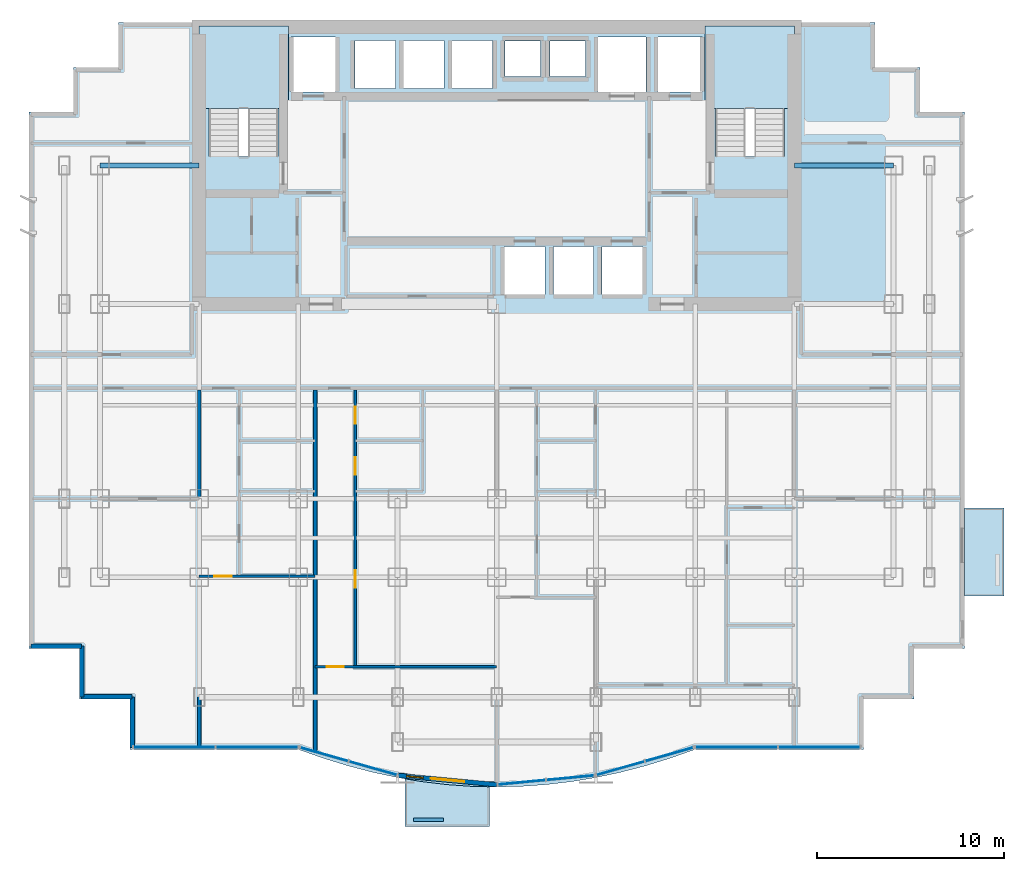
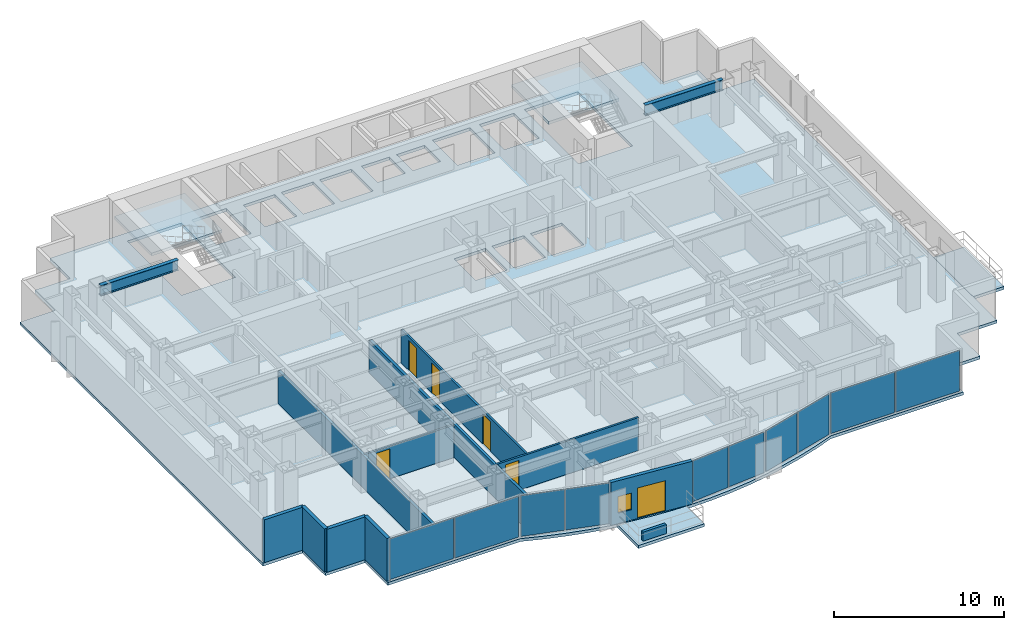
# One storey, part 4 of 10: 11 walls, 10 plates, 6 doors, 5 slabs, 2 beams, 1 window, 7 openings, 7 elements without a shape of their own.
"""IFC4 building model written with IfcOpenShell, lengths in metres."""

from ifc_helpers import new_model, si_unit, direction, frame, frame_2d, origin, origin_2d, place, context, subcontext, project, spatial, polyline, rectangle, i_section, outline, extrude, source, transform, mapped, material, layer, layer_set, material_profile, profile_set, type_object, element, fill, aggregate, save


model = new_model("IFC4")

# Units and contexts
model_context = context("Model", 3, precision=1e-05, world=origin(), true_north=direction((0.0, 1.0)))
body_context = subcontext(model_context, "Body", "Model", "MODEL_VIEW")
ifc_project = project(units=[si_unit("LENGTHUNIT", "METRE"), si_unit("AREAUNIT", "SQUARE_METRE"), si_unit("VOLUMEUNIT", "CUBIC_METRE"), si_unit("PLANEANGLEUNIT", "RADIAN"), si_unit("MASSUNIT", "GRAM", prefix="KILO")], contexts=[model_context])

# Site, building, storey
site_placement = place(None, origin())
site = spatial("IfcSite", under=ifc_project, at=site_placement, CompositionType="ELEMENT")
building_placement = place(site_placement, origin())
building = spatial("IfcBuilding", under=site, at=building_placement, Name="Qianlan Lanfeng Residences", CompositionType="ELEMENT")
storey_placement = place(building_placement, frame((0.0, 0.0, 88.300048828125)))
storey = spatial("IfcBuildingStorey", under=building, at=storey_placement, Name="L23", CompositionType="ELEMENT", Elevation=88.300048828125)

# Beams
ifc_material_1 = material(Name="Steel SN490B", Category="steel")
ifc_material_profile = material_profile(ifc_material_1, i_section(OverallWidth=0.25, OverallDepth=0.75, WebThickness=0.013916015625, FlangeThickness=0.02490234375, at=origin_2d()), Name="H 750x250x14x25")
ifc_profile_set = profile_set([ifc_material_profile], Name="Steel SN490B")
beam_type = type_object("IfcBeamType", Name="G-850", PredefinedType="BEAM", material=ifc_profile_set)
for number, where, z_axis, x_axis, name in (
    (1, (5.300048828125, 32.60009765625, 2.71484375), (1.0, 0.0, 0.0), (0.0, 1.0, 0.0), "Structural beam G-850"),
    (2, (42.39990234375, 32.60009765625, 2.71484375), (1.0, 0.0, 0.0), (0.0, 1.0, 0.0), "Structural beam G-850"),
):
    element("IfcBeam", number, at=place(storey_placement, frame(where, z_axis=z_axis, x_axis=x_axis)), inside=storey, type_object=beam_type, Name=name, PredefinedType="BEAM", context=body_context, shape_type="SweptSolid", body=[
        extrude(i_section(OverallWidth=0.25, OverallDepth=0.75, WebThickness=0.013916015625, FlangeThickness=0.02490234375, at=origin_2d()), origin(), (0.0, 0.0, 1.0), 5.300048828125),
    ])

# Slabs
ifc_material_2 = material(Name="Concrete C42", Category="concrete")
ifc_layer_1 = layer(ifc_material_2, 0.2099609375)
ifc_layer_set_1 = layer_set([ifc_layer_1], Name="Concrete C42")
slab_type_1 = type_object("IfcSlabType", Name="S-BAL-210", PredefinedType="FLOOR", material=ifc_layer_set_1)
slab_1_placement = place(storey_placement, frame((0.0, 0.0, -0.2099609375)))
element("IfcSlab", 3, at=slab_1_placement, inside=storey, type_object=slab_type_1, Name="L23 Planted Tree Balcony Slab SB-C", PredefinedType="FLOOR", context=body_context, shape_type="SweptSolid", body=[
    extrude(outline(polyline([(26.10009765625, -0.591064453125), (25.177001953125, -0.569091796875), (23.85498046875, -0.47509765625), (22.531982421875, -0.319091796875), (21.60009765625, -0.1650390625), (21.60009765625, -2.699951171875), (26.10009765625, -2.699951171875), (26.10009765625, -0.591064453125)])), origin(), (0.0, 0.0, 1.0), 0.2099609375),
])
slab_2_placement = place(storey_placement, frame((0.0, 0.0, -0.2099609375)))
element("IfcSlab", 4, at=slab_2_placement, inside=storey, type_object=slab_type_1, Name="L23 Planted Tree Balcony Slab EB-S", PredefinedType="FLOOR", context=body_context, shape_type="SweptSolid", body=[
    extrude(outline(polyline([(51.5, 14.300048828125), (51.5, 9.60009765625), (53.60009765625, 9.60009765625), (53.60009765625, 14.300048828125), (51.5, 14.300048828125)])), origin(), (0.0, 0.0, 1.0), 0.2099609375),
])
ifc_layer_2 = layer(ifc_material_2, 0.2099609375)
ifc_layer_set_2 = layer_set([ifc_layer_2], Name="Concrete C42")
slab_type_2 = type_object("IfcSlabType", Name="S-FL-210", PredefinedType="FLOOR", material=ifc_layer_set_2)
slab_3_placement = place(storey_placement, frame((0.0, 0.0, -0.2099609375)))
element("IfcSlab", 5, at=slab_3_placement, inside=storey, type_object=slab_type_2, Name="L23 Structural Floor Slab", PredefinedType="FLOOR", context=body_context, shape_type="SweptSolid", body=[
    extrude(outline(polyline([(1.5, 6.800048828125), (4.199951171875, 6.800048828125), (4.199951171875, 4.10009765625), (6.89990234375, 4.10009765625), (6.89990234375, 1.39990234375), (15.919921875, 1.39990234375), (17.241943359375, 0.930908203125), (18.56494140625, 0.52490234375), (19.886962890625, 0.180908203125), (21.2099609375, -0.10009765625), (22.531982421875, -0.319091796875), (23.85498046875, -0.47509765625), (25.177001953125, -0.569091796875), (26.5, -0.60009765625), (27.822021484375, -0.569091796875), (29.14501953125, -0.47509765625), (30.467041015625, -0.319091796875), (31.7900390625, -0.10009765625), (33.112060546875, 0.180908203125), (34.43505859375, 0.52490234375), (35.758056640625, 0.930908203125), (37.080078125, 1.39990234375), (46.10009765625, 1.39990234375), (46.10009765625, 4.10009765625), (48.800048828125, 4.10009765625), (48.800048828125, 6.800048828125), (51.5, 6.800048828125), (51.5, 35.449951171875), (49.10009765625, 35.449951171875), (49.10009765625, 37.85009765625), (46.699951171875, 37.85009765625), (46.699951171875, 40.25), (6.300048828125, 40.25), (6.300048828125, 37.85009765625), (3.89990234375, 37.85009765625), (3.89990234375, 35.449951171875), (1.5, 35.449951171875), (1.5, 6.800048828125)]), holes=[polyline([(11.139892578125, 33.080078125), (11.139892578125, 39.5), (14.820068359375, 39.5), (14.820068359375, 33.080078125), (11.139892578125, 33.080078125)]), polyline([(38.179931640625, 33.080078125), (38.179931640625, 39.5), (41.860107421875, 39.5), (41.860107421875, 33.080078125), (38.179931640625, 33.080078125)]), polyline([(15.52001953125, 36.52001953125), (15.52001953125, 39.47998046875), (17.8798828125, 39.47998046875), (17.8798828125, 36.52001953125), (15.52001953125, 36.52001953125)]), polyline([(35.1201171875, 36.52001953125), (35.1201171875, 39.47998046875), (37.47998046875, 39.47998046875), (37.47998046875, 36.52001953125), (35.1201171875, 36.52001953125)]), polyline([(31.919921875, 36.52001953125), (31.919921875, 39.47998046875), (34.47998046875, 39.47998046875), (34.47998046875, 36.52001953125), (31.919921875, 36.52001953125)]), polyline([(26.919921875, 25.719970703125), (26.919921875, 28.280029296875), (29.080078125, 28.280029296875), (29.080078125, 25.719970703125), (26.919921875, 25.719970703125)]), polyline([(29.52001953125, 25.719970703125), (29.52001953125, 28.280029296875), (31.679931640625, 28.280029296875), (31.679931640625, 25.719970703125), (29.52001953125, 25.719970703125)]), polyline([(32.1201171875, 25.719970703125), (32.1201171875, 28.280029296875), (34.280029296875, 28.280029296875), (34.280029296875, 25.719970703125), (32.1201171875, 25.719970703125)]), polyline([(18.919921875, 36.719970703125), (18.919921875, 39.280029296875), (21.080078125, 39.280029296875), (21.080078125, 36.719970703125), (18.919921875, 36.719970703125)]), polyline([(21.52001953125, 36.719970703125), (21.52001953125, 39.280029296875), (23.679931640625, 39.280029296875), (23.679931640625, 36.719970703125), (21.52001953125, 36.719970703125)]), polyline([(24.1201171875, 36.719970703125), (24.1201171875, 39.280029296875), (26.280029296875, 39.280029296875), (26.280029296875, 36.719970703125), (24.1201171875, 36.719970703125)]), polyline([(26.949951171875, 37.35009765625), (26.949951171875, 39.25), (28.85009765625, 39.25), (28.85009765625, 37.35009765625), (26.949951171875, 37.35009765625)]), polyline([(29.35009765625, 37.35009765625), (29.35009765625, 39.25), (31.25, 39.25), (31.25, 37.35009765625), (29.35009765625, 37.35009765625)])]), origin(), (0.0, 0.0, 1.0), 0.2099609375),
])

# Stair, slab
stair_type = type_object("IfcStairType", Name="STR-MAIN", PredefinedType="HALF_TURN_STAIR", material=ifc_material_2)
stair_1_placement = place(storey_placement, origin())
stair_1 = element("IfcStair", 6, at=stair_1_placement, inside=storey, type_object=stair_type, Name="L23 Exit Stair ST-1", PredefinedType="HALF_TURN_STAIR")
ifc_layer_3 = layer(ifc_material_2, 0.179931640625)
ifc_layer_set_3 = layer_set([ifc_layer_3], Name="Concrete C42")
slab_type_3 = type_object("IfcSlabType", Name="S-LND-180", PredefinedType="LANDING", material=ifc_layer_set_3)
slab_4_placement = place(storey_placement, frame((0.0, 0.0, 1.449951171875)))
slab_4 = element("IfcSlab", 7, at=slab_4_placement, type_object=slab_type_3, Name="ST-1 landing 1", PredefinedType="LANDING", context=body_context, shape_type="SweptSolid", body=[
    extrude(outline(polyline([(10.580078125, 35.659912109375), (15.3798828125, 35.659912109375), (15.3798828125, 40.050048828125), (10.580078125, 40.050048828125), (10.580078125, 35.659912109375)])), origin(), (0.0, 0.0, 1.0), 0.199951171875),
])
aggregate(stair_1, [slab_4])

stair_2_placement = place(storey_placement, origin())
stair_2 = element("IfcStair", 8, at=stair_2_placement, inside=storey, type_object=stair_type, Name="L23 Exit Stair ST-2", PredefinedType="HALF_TURN_STAIR")
slab_5_placement = place(storey_placement, frame((0.0, 0.0, 1.449951171875)))
slab_5 = element("IfcSlab", 9, at=slab_5_placement, type_object=slab_type_3, Name="ST-2 landing 1", PredefinedType="LANDING", context=body_context, shape_type="SweptSolid", body=[
    extrude(outline(polyline([(37.6201171875, 35.659912109375), (42.419921875, 35.659912109375), (42.419921875, 40.050048828125), (37.6201171875, 40.050048828125), (37.6201171875, 35.659912109375)])), origin(), (0.0, 0.0, 1.0), 0.199951171875),
])
aggregate(stair_2, [slab_5])

# Curtain wall, plate
ifc_material_3 = material(Name="Anodised Bronze Aluminium 6063-T6", Category="aluminium")
ifc_layer_4 = layer(ifc_material_3, 0.219970703125)
ifc_layer_set_4 = layer_set([ifc_layer_4], Name="Anodised Bronze Aluminium 6063-T6")
curtain_wall_type = type_object("IfcCurtainWallType", Name="CW-03", PredefinedType="NOTDEFINED", material=ifc_layer_set_4)
curtain_wall_1_placement = place(storey_placement, origin())
curtain_wall_1 = element("IfcCurtainWall", 10, at=curtain_wall_1_placement, inside=storey, type_object=curtain_wall_type, Name="L23 Unitised Curtain Wall CWR-L23-02 (CW-03)", PredefinedType="NOTDEFINED")
ifc_material_4 = material(Name="Perforated Anodised Bronze Aluminium Panel", Category="aluminium")
ifc_layer_5 = layer(ifc_material_4, 0.0419921875)
ifc_layer_set_5 = layer_set([ifc_layer_5], Name="Perforated Anodised Bronze Aluminium Panel")
plate_type_1 = type_object("IfcPlateType", Name="PNL-PRF-BRZ", PredefinedType="CURTAIN_PANEL", material=ifc_layer_set_5)
shared_shape_1 = source(origin(), body_context, "Body", "SweptSolid", [
    extrude(rectangle(XDim=2.632080078125, YDim=0.0419921875, at=origin_2d()), origin(), (0.0, 0.0, 1.0), 2.931884765625),
])
plate_1_placement = place(storey_placement, frame((19.889892578125, 0.39892578125, 0.0791015625), z_axis=(0.0, 0.0, 1.0), x_axis=(0.961989074302, -0.273087936247, 0.0)))
plate_1 = element("IfcPlate", 11, at=plate_1_placement, type_object=plate_type_1, Name="CWR-L23-02 Curtain Panel 2", PredefinedType="CURTAIN_PANEL", context=body_context, shape_type="MappedRepresentation", body=[
    mapped(shared_shape_1, transform((0.0, 0.0, 0.0), scale=1.0)),
])

curtain_wall_2_placement = place(storey_placement, origin())
curtain_wall_2 = element("IfcCurtainWall", 12, at=curtain_wall_2_placement, inside=storey, type_object=curtain_wall_type, Name="L23 Unitised Curtain Wall CWR-L23-04 (CW-03)", PredefinedType="NOTDEFINED")
plate_2_placement = place(storey_placement, frame((35.717041015625, 1.138916015625, 0.0791015625), z_axis=(0.0, 0.0, 1.0), x_axis=(0.961989074302, 0.273087936247, 0.0)))
plate_2 = element("IfcPlate", 13, at=plate_2_placement, type_object=plate_type_1, Name="CWR-L23-04 Curtain Panel 2", PredefinedType="CURTAIN_PANEL", context=body_context, shape_type="MappedRepresentation", body=[
    mapped(shared_shape_1, transform((0.0, 0.0, 0.0), scale=1.0)),
])

# Curtain wall, plates
curtain_wall_3_placement = place(storey_placement, origin())
curtain_wall_3 = element("IfcCurtainWall", 14, at=curtain_wall_3_placement, inside=storey, type_object=curtain_wall_type, Name="L23 Unitised Curtain Wall CWR-L23-01 (CW-03)", PredefinedType="NOTDEFINED")
ifc_material_5 = material(Name="Dark Bronze Tinted Insulated Glass", Category="glass")
ifc_layer_6 = layer(ifc_material_5, 0.0380859375)
ifc_layer_set_6 = layer_set([ifc_layer_6], Name="Dark Bronze Tinted Insulated Glass")
plate_type_2 = type_object("IfcPlateType", Name="PNL-GLZ-BRZ", PredefinedType="CURTAIN_PANEL", material=ifc_layer_set_6)
shared_shape_2 = source(origin(), body_context, "Body", "SweptSolid", [
    extrude(rectangle(XDim=4.342529296875, YDim=0.0380859375, at=origin_2d()), origin(), (0.0, 0.0, 1.0), 2.931884765625),
])
plate_3_placement = place(storey_placement, frame((9.270263671875, 1.52001953125, 0.0791015625), z_axis=(0.0, 0.0, 1.0), x_axis=(1.0, 0.0, 0.0)))
plate_3 = element("IfcPlate", 15, at=plate_3_placement, type_object=plate_type_2, Name="CWR-L23-01 Curtain Panel 1", PredefinedType="CURTAIN_PANEL", context=body_context, shape_type="MappedRepresentation", body=[
    mapped(shared_shape_2, transform((0.0, 0.0, 0.0), scale=1.0)),
])
plate_4_placement = place(storey_placement, frame((13.690673828125, 1.52001953125, 0.0791015625), z_axis=(0.0, 0.0, 1.0), x_axis=(1.0, 0.0, 0.0)))
plate_4 = element("IfcPlate", 16, at=plate_4_placement, type_object=plate_type_2, Name="CWR-L23-01 Curtain Panel 2", PredefinedType="CURTAIN_PANEL", context=body_context, shape_type="MappedRepresentation", body=[
    mapped(shared_shape_2, transform((0.0, 0.0, 0.0), scale=1.0)),
])
aggregate(curtain_wall_3, [plate_3, plate_4])

curtain_wall_4_placement = place(storey_placement, origin())
curtain_wall_4 = element("IfcCurtainWall", 17, at=curtain_wall_4_placement, inside=storey, type_object=curtain_wall_type, Name="L23 Unitised Curtain Wall CWR-L23-05 (CW-03)", PredefinedType="NOTDEFINED")
plate_5_placement = place(storey_placement, frame((39.30908203125, 1.52001953125, 0.0791015625), z_axis=(0.0, 0.0, 1.0), x_axis=(1.0, 0.0, 0.0)))
plate_5 = element("IfcPlate", 18, at=plate_5_placement, type_object=plate_type_2, Name="CWR-L23-05 Curtain Panel 1", PredefinedType="CURTAIN_PANEL", context=body_context, shape_type="MappedRepresentation", body=[
    mapped(shared_shape_2, transform((0.0, 0.0, 0.0), scale=1.0)),
])
plate_6_placement = place(storey_placement, frame((43.729736328125, 1.52001953125, 0.0791015625), z_axis=(0.0, 0.0, 1.0), x_axis=(1.0, 0.0, 0.0)))
plate_6 = element("IfcPlate", 19, at=plate_6_placement, type_object=plate_type_2, Name="CWR-L23-05 Curtain Panel 2", PredefinedType="CURTAIN_PANEL", context=body_context, shape_type="MappedRepresentation", body=[
    mapped(shared_shape_2, transform((0.0, 0.0, 0.0), scale=1.0)),
])
aggregate(curtain_wall_4, [plate_5, plate_6])

# Plate
shared_shape_3 = source(origin(), body_context, "Body", "SweptSolid", [
    extrude(rectangle(XDim=2.632080078125, YDim=0.0380859375, at=origin_2d()), origin(), (0.0, 0.0, 1.0), 2.931884765625),
])
plate_7_placement = place(storey_placement, frame((17.282958984375, 1.138916015625, 0.0791015625), z_axis=(0.0, 0.0, 1.0), x_axis=(0.961989074302, -0.273087936247, 0.0)))
plate_7 = element("IfcPlate", 20, at=plate_7_placement, type_object=plate_type_2, Name="CWR-L23-02 Curtain Panel 1", PredefinedType="CURTAIN_PANEL", context=body_context, shape_type="MappedRepresentation", body=[
    mapped(shared_shape_3, transform((0.0, 0.0, 0.0), scale=1.0)),
])

aggregate(curtain_wall_1, [plate_7, plate_1])

plate_8_placement = place(storey_placement, frame((33.110107421875, 0.39892578125, 0.0791015625), z_axis=(0.0, 0.0, 1.0), x_axis=(0.961989074302, 0.273087936247, 0.0)))
plate_8 = element("IfcPlate", 21, at=plate_8_placement, type_object=plate_type_2, Name="CWR-L23-04 Curtain Panel 1", PredefinedType="CURTAIN_PANEL", context=body_context, shape_type="MappedRepresentation", body=[
    mapped(shared_shape_3, transform((0.0, 0.0, 0.0), scale=1.0)),
])

aggregate(curtain_wall_2, [plate_8, plate_2])

# Curtain wall, plates
curtain_wall_5_placement = place(storey_placement, origin())
curtain_wall_5 = element("IfcCurtainWall", 22, at=curtain_wall_5_placement, inside=storey, type_object=curtain_wall_type, Name="L23 Unitised Curtain Wall CWR-L23-03 (CW-03)", PredefinedType="NOTDEFINED")
shared_shape_4 = source(origin(), body_context, "Body", "SweptSolid", [
    extrude(rectangle(XDim=2.527587890625, YDim=0.0380859375, at=origin_2d()), origin(), (0.0, 0.0, 1.0), 2.931884765625),
])
plate_9_placement = place(storey_placement, frame((27.8369140625, -0.353515625, 0.0791015625), z_axis=(0.0, 0.0, 1.0), x_axis=(0.995561471839, 0.094113526067, 0.0)))
plate_9 = element("IfcPlate", 23, at=plate_9_placement, type_object=plate_type_2, Name="CWR-L23-03 Curtain Panel 1", PredefinedType="CURTAIN_PANEL", context=body_context, shape_type="MappedRepresentation", body=[
    mapped(shared_shape_4, transform((0.0, 0.0, 0.0), scale=1.0)),
])
shared_shape_5 = source(origin(), body_context, "Body", "SweptSolid", [
    extrude(rectangle(XDim=2.52783203125, YDim=0.0380859375, at=origin_2d()), origin(), (0.0, 0.0, 1.0), 2.931884765625),
])
plate_10_placement = place(storey_placement, frame((30.43115234375, -0.1083984375, 0.0791015625), z_axis=(0.0, 0.0, 1.0), x_axis=(0.995561471839, 0.094113526067, 0.0)))
plate_10 = element("IfcPlate", 24, at=plate_10_placement, type_object=plate_type_2, Name="CWR-L23-03 Curtain Panel 2", PredefinedType="CURTAIN_PANEL", context=body_context, shape_type="MappedRepresentation", body=[
    mapped(shared_shape_5, transform((0.0, 0.0, 0.0), scale=1.0)),
])
aggregate(curtain_wall_5, [plate_9, plate_10])

# Walls
ifc_layer_7 = layer(ifc_material_2, 0.239990234375)
ifc_layer_set_7 = layer_set([ifc_layer_7], Name="Concrete C42")
wall_type_1 = type_object("IfcWallType", Name="EW-240", PredefinedType="SOLIDWALL", material=ifc_layer_set_7)
for number, where, z_axis, x_axis, name in (
    (25, (1.6201171875, 6.919921875, 0.0), (0.0, 0.0, 1.0), (1.0, 0.0, 0.0), "L23 Exterior Facade Spandrel Wall 1"),
    (26, (4.320068359375, 6.919921875, 0.0), (0.0, 0.0, 1.0), (0.0, -1.0, 0.0), "L23 Exterior Facade Spandrel Wall 2"),
    (27, (4.320068359375, 4.219970703125, 0.0), (0.0, 0.0, 1.0), (1.0, 0.0, 0.0), "L23 Exterior Facade Spandrel Wall 3"),
    (28, (7.02001953125, 4.219970703125, 0.0), (0.0, 0.0, 1.0), (0.0, -1.0, 0.0), "L23 Exterior Facade Spandrel Wall 4"),
):
    element("IfcWall", number, at=place(storey_placement, frame(where, z_axis=z_axis, x_axis=x_axis)), inside=storey, type_object=wall_type_1, Name=name, PredefinedType="SOLIDWALL", context=body_context, shape_type="SweptSolid", body=[
        extrude(rectangle(XDim=2.699951171875, YDim=0.239990234375, at=frame_2d((1.35009765625, 0.0))), origin(), (0.0, 0.0, 1.0), 3.08984375),
    ])

# Wall, openings, door, window
wall_1_placement = place(storey_placement, frame((21.23193359375, 0.01806640625, 0.0), z_axis=(0.0, 0.0, 1.0), x_axis=(0.995560760834, -0.094121046997, 0.0)))
wall_1 = element("IfcWall", 29, at=wall_1_placement, inside=storey, type_object=wall_type_1, Name="L23 Terrace/Balcony Access Exterior Wall 5", PredefinedType="SOLIDWALL", context=body_context, shape_type="SweptSolid", body=[
    extrude(rectangle(XDim=5.29150390625, YDim=0.239990234375, at=frame_2d((2.645751953125, 0.0))), origin(), (0.0, 0.0, 1.0), 3.08984375),
])
opening_1_placement = place(wall_1_placement, frame((1.742919921875, 0.0, 0.0)))
opening_1 = element("IfcOpeningElement", 30, at=opening_1_placement, cuts=wall_1, Name="Opening L23-D-SB-C", PredefinedType="OPENING", context=body_context, shape_type="SweptSolid", body=[
    extrude(rectangle(XDim=1.800048828125, YDim=2.199951171875, at=frame_2d((0.89990234375, 1.10009765625))), frame((0.0, 0.1298828125, 0.0), z_axis=(0.0, -1.0, 0.0), x_axis=(1.0, 0.0, 0.0)), (0.0, 0.0, 1.0), 0.260009765625),
])
opening_2_placement = place(wall_1_placement, frame((0.449951171875, 0.0, 0.75)))
opening_2 = element("IfcOpeningElement", 31, at=opening_2_placement, cuts=wall_1, Name="Opening W-04", PredefinedType="OPENING", context=body_context, shape_type="SweptSolid", body=[
    extrude(rectangle(XDim=0.89990234375, YDim=1.199951171875, at=frame_2d((0.449951171875, 0.60009765625))), frame((0.0, 0.1298828125, 0.0), z_axis=(0.0, -1.0, 0.0), x_axis=(1.0, 0.0, 0.0)), (0.0, 0.0, 1.0), 0.260009765625),
])
ifc_material_6 = material(Name="Anodised Bronze Aluminium Framed Glass", Category="aluminium")
door_type_1 = type_object("IfcDoorType", Name="DT-BAL1", OperationType="NOTDEFINED", PredefinedType="DOOR", material=ifc_material_6)
door_1_placement = place(opening_1_placement, frame((1.800048828125, 0.0, 0.0), z_axis=(0.0, 0.0, 1.0), x_axis=(-1.0, 0.0, 0.0)))
door_1 = element("IfcDoor", 32, at=door_1_placement, inside=storey, type_object=door_type_1, Name="L23 Exterior Access Door SB-C", OperationType="DOUBLE_DOOR_SLIDING", OverallHeight=2.199951171875, OverallWidth=1.800048828125, PredefinedType="DOOR", context=body_context, shape_type="SweptSolid", body=[
    extrude(rectangle(XDim=1.800048828125, YDim=2.199951171875, at=frame_2d((0.89990234375, 1.10009765625))), frame((0.0, 0.02490234375, 0.0), z_axis=(0.0, -1.0, 0.0), x_axis=(1.0, 0.0, 0.0)), (0.0, 0.0, 1.0), 0.050048828125),
])
fill(opening_1, door_1)
ifc_material_7 = material(Name="Anodised Bronze Aluminium Framed Double Glazing", Category="aluminium")
window_type = type_object("IfcWindowType", Name="W-04", PartitioningType="SINGLE_PANEL", PredefinedType="WINDOW", material=ifc_material_7)
window_placement = place(opening_2_placement, origin())
window = element("IfcWindow", 33, at=window_placement, inside=storey, type_object=window_type, Name="L23 Exterior Window W-04", OverallHeight=1.199951171875, OverallWidth=0.89990234375, PartitioningType="SINGLE_PANEL", PredefinedType="WINDOW", context=body_context, shape_type="SweptSolid", body=[
    extrude(rectangle(XDim=0.89990234375, YDim=1.199951171875, at=frame_2d((0.449951171875, 0.60009765625))), frame((0.0, 0.030029296875, 0.0), z_axis=(0.0, -1.0, 0.0), x_axis=(1.0, 0.0, 0.0)), (0.0, 0.0, 1.0), 0.06005859375),
])
fill(opening_2, window)

# Wall
ifc_layer_8 = layer(ifc_material_2, 0.199951171875)
ifc_layer_set_8 = layer_set([ifc_layer_8], Name="Concrete C42")
wall_type_2 = type_object("IfcWallType", Name="PL-TREE-200", PredefinedType="PARAPET", material=ifc_layer_set_8)
wall_2_placement = place(storey_placement, frame((22.050048828125, -2.35009765625, 0.0), z_axis=(0.0, 0.0, 1.0), x_axis=(1.0, 0.0, 0.0)))
element("IfcWall", 34, at=wall_2_placement, inside=storey, type_object=wall_type_2, Name="L23 Balcony Tree Planter Curb SB-C", PredefinedType="PARAPET", context=body_context, shape_type="SweptSolid", body=[
    extrude(rectangle(XDim=1.599853515625, YDim=0.199951171875, at=frame_2d((0.7998046875, 0.0))), origin(), (0.0, 0.0, 1.0), 0.64990234375),
])

# Wall, opening, door
ifc_material_8 = material(Name="Moisture-Resistant Gypsum Partition 135 mm")
ifc_layer_9 = layer(ifc_material_8, 0.135009765625)
ifc_layer_set_9 = layer_set([ifc_layer_9], Name="Moisture-Resistant Gypsum Partition 135 mm")
wall_type_3 = type_object("IfcWallType", Name="PW-135", PredefinedType="PARTITIONING", material=ifc_layer_set_9)
wall_3_placement = place(storey_placement, frame((10.60009765625, 10.652099609375, 0.0), z_axis=(0.0, 0.0, 1.0), x_axis=(1.0, 0.0, 0.0)))
wall_3 = element("IfcWall", 35, at=wall_3_placement, inside=storey, type_object=wall_type_3, Name="L23 U01 Living Divider", PredefinedType="PARTITIONING", context=body_context, shape_type="SweptSolid", body=[
    extrude(rectangle(XDim=6.199951171875, YDim=0.135009765625, at=frame_2d((3.10009765625, 0.0))), origin(), (0.0, 0.0, 1.0), 2.3349609375),
])
opening_3_placement = place(wall_3_placement, frame((0.81494140625, 0.0, 0.0)))
opening_3 = element("IfcOpeningElement", 36, at=opening_3_placement, cuts=wall_3, Name="Opening L23-D18", PredefinedType="OPENING", context=body_context, shape_type="SweptSolid", body=[
    extrude(rectangle(XDim=0.919921875, YDim=2.14990234375, at=frame_2d((0.4599609375, 1.074951171875))), frame((0.0, 0.07763671875, 0.0), z_axis=(0.0, -1.0, 0.0), x_axis=(1.0, 0.0, 0.0)), (0.0, 0.0, 1.0), 0.155029296875),
])
ifc_material_9 = material(Name="Glazed Timber Kitchen/Study Door", Category="wood")
door_type_2 = type_object("IfcDoorType", Name="DT-INT", OperationType="NOTDEFINED", PredefinedType="DOOR", material=ifc_material_9)
door_2_placement = place(opening_3_placement, origin())
door_2 = element("IfcDoor", 37, at=door_2_placement, inside=storey, type_object=door_type_2, Name="L23 U01 Living Passage Door L23-D18 (DT-INT)", OperationType="SINGLE_SWING_RIGHT", OverallHeight=2.14990234375, OverallWidth=0.919921875, PredefinedType="DOOR", context=body_context, shape_type="SweptSolid", body=[
    extrude(rectangle(XDim=0.919921875, YDim=2.14990234375, at=frame_2d((0.4599609375, 1.074951171875))), frame((0.0, 0.02490234375, 0.0), z_axis=(0.0, -1.0, 0.0), x_axis=(1.0, 0.0, 0.0)), (0.0, 0.0, 1.0), 0.050048828125),
])
fill(opening_3, door_2)

wall_4_placement = place(storey_placement, frame((16.800048828125, 5.822998046875, 0.0), z_axis=(0.0, 0.0, 1.0), x_axis=(1.0, 0.0, 0.0)))
wall_4 = element("IfcWall", 38, at=wall_4_placement, inside=storey, type_object=wall_type_3, Name="L23 U02 Living Divider", PredefinedType="PARTITIONING", context=body_context, shape_type="SweptSolid", body=[
    extrude(rectangle(XDim=9.699951171875, YDim=0.135009765625, at=frame_2d((4.85009765625, 0.0))), origin(), (0.0, 0.0, 1.0), 2.3798828125),
])
opening_4_placement = place(wall_4_placement, frame((0.614990234375, 0.0, 0.0)))
opening_4 = element("IfcOpeningElement", 39, at=opening_4_placement, cuts=wall_4, Name="Opening L23-D23", PredefinedType="OPENING", context=body_context, shape_type="SweptSolid", body=[
    extrude(rectangle(XDim=0.919921875, YDim=2.14990234375, at=frame_2d((0.4599609375, 1.074951171875))), frame((0.0, 0.07763671875, 0.0), z_axis=(0.0, -1.0, 0.0), x_axis=(1.0, 0.0, 0.0)), (0.0, 0.0, 1.0), 0.155029296875),
])
door_3_placement = place(opening_4_placement, frame((0.919921875, 0.0, 0.0), z_axis=(0.0, 0.0, 1.0), x_axis=(-1.0, 0.0, 0.0)))
door_3 = element("IfcDoor", 40, at=door_3_placement, inside=storey, type_object=door_type_2, Name="L23 U02 Living Passage Door L23-D23 (DT-INT)", OperationType="SINGLE_SWING_RIGHT", OverallHeight=2.14990234375, OverallWidth=0.919921875, PredefinedType="DOOR", context=body_context, shape_type="SweptSolid", body=[
    extrude(rectangle(XDim=0.919921875, YDim=2.14990234375, at=frame_2d((0.4599609375, 1.074951171875))), frame((0.0, 0.02490234375, 0.0), z_axis=(0.0, -1.0, 0.0), x_axis=(1.0, 0.0, 0.0)), (0.0, 0.0, 1.0), 0.050048828125),
])
fill(opening_4, door_3)

# Wall, openings, doors
wall_5_placement = place(storey_placement, frame((18.949951171875, 5.822998046875, 0.0), z_axis=(0.0, 0.0, 1.0), x_axis=(0.0, 1.0, 0.0)))
wall_5 = element("IfcWall", 41, at=wall_5_placement, inside=storey, type_object=wall_type_3, Name="L23 U02 Entry Hall Spine", PredefinedType="PARTITIONING", context=body_context, shape_type="SweptSolid", body=[
    extrude(rectangle(XDim=14.777099609375, YDim=0.135009765625, at=frame_2d((7.388671875, 0.0))), origin(), (0.0, 0.0, 1.0), 2.3798828125),
])
opening_5_placement = place(wall_5_placement, frame((4.22900390625, 0.0, 0.0)))
opening_5 = element("IfcOpeningElement", 42, at=opening_5_placement, cuts=wall_5, Name="Opening L23-D24", PredefinedType="OPENING", context=body_context, shape_type="SweptSolid", body=[
    extrude(rectangle(XDim=0.919921875, YDim=2.14990234375, at=frame_2d((0.4599609375, 1.074951171875))), frame((0.0, 0.07763671875, 0.0), z_axis=(0.0, -1.0, 0.0), x_axis=(1.0, 0.0, 0.0)), (0.0, 0.0, 1.0), 0.155029296875),
])
opening_6_placement = place(wall_5_placement, frame((10.26708984375, 0.0, 0.0)))
opening_6 = element("IfcOpeningElement", 43, at=opening_6_placement, cuts=wall_5, Name="Opening L23-D25", PredefinedType="OPENING", context=body_context, shape_type="SweptSolid", body=[
    extrude(rectangle(XDim=0.919921875, YDim=2.14990234375, at=frame_2d((0.4599609375, 1.074951171875))), frame((0.0, 0.07763671875, 0.0), z_axis=(0.0, -1.0, 0.0), x_axis=(1.0, 0.0, 0.0)), (0.0, 0.0, 1.0), 0.155029296875),
])
opening_7_placement = place(wall_5_placement, frame((12.97705078125, 0.0, 0.0)))
opening_7 = element("IfcOpeningElement", 44, at=opening_7_placement, cuts=wall_5, Name="Opening L23-D26", PredefinedType="OPENING", context=body_context, shape_type="SweptSolid", body=[
    extrude(rectangle(XDim=0.89990234375, YDim=2.14990234375, at=frame_2d((0.449951171875, 1.074951171875))), frame((0.0, 0.07763671875, 0.0), z_axis=(0.0, -1.0, 0.0), x_axis=(1.0, 0.0, 0.0)), (0.0, 0.0, 1.0), 0.155029296875),
])
door_4_placement = place(opening_5_placement, origin())
door_4 = element("IfcDoor", 45, at=door_4_placement, inside=storey, type_object=door_type_2, Name="L23 U02 Study Door L23-D24 (DT-INT)", OperationType="SINGLE_SWING_LEFT", OverallHeight=2.14990234375, OverallWidth=0.919921875, PredefinedType="DOOR", context=body_context, shape_type="SweptSolid", body=[
    extrude(rectangle(XDim=0.919921875, YDim=2.14990234375, at=frame_2d((0.4599609375, 1.074951171875))), frame((0.0, 0.02490234375, 0.0), z_axis=(0.0, -1.0, 0.0), x_axis=(1.0, 0.0, 0.0)), (0.0, 0.0, 1.0), 0.050048828125),
])
fill(opening_5, door_4)
door_5_placement = place(opening_6_placement, origin())
door_5 = element("IfcDoor", 46, at=door_5_placement, inside=storey, type_object=door_type_2, Name="L23 U02 Kitchen Door L23-D25 (DT-INT)", OperationType="SINGLE_SWING_RIGHT", OverallHeight=2.14990234375, OverallWidth=0.919921875, PredefinedType="DOOR", context=body_context, shape_type="SweptSolid", body=[
    extrude(rectangle(XDim=0.919921875, YDim=2.14990234375, at=frame_2d((0.4599609375, 1.074951171875))), frame((0.0, 0.02490234375, 0.0), z_axis=(0.0, -1.0, 0.0), x_axis=(1.0, 0.0, 0.0)), (0.0, 0.0, 1.0), 0.050048828125),
])
fill(opening_6, door_5)
ifc_material_10 = material(Name="Moisture-Resistant Timber Leaf", Category="wood")
door_type_3 = type_object("IfcDoorType", Name="DT-WC", OperationType="NOTDEFINED", PredefinedType="DOOR", material=ifc_material_10)
door_6_placement = place(opening_7_placement, origin())
door_6 = element("IfcDoor", 47, at=door_6_placement, inside=storey, type_object=door_type_3, Name="L23 U02 Bathroom Door L23-D26 (DT-WC)", OperationType="SINGLE_SWING_LEFT", OverallHeight=2.14990234375, OverallWidth=0.89990234375, PredefinedType="DOOR", context=body_context, shape_type="SweptSolid", body=[
    extrude(rectangle(XDim=0.89990234375, YDim=2.14990234375, at=frame_2d((0.449951171875, 1.074951171875))), frame((0.0, 0.02490234375, 0.0), z_axis=(0.0, -1.0, 0.0), x_axis=(1.0, 0.0, 0.0)), (0.0, 0.0, 1.0), 0.050048828125),
])
fill(opening_7, door_6)

# Walls
ifc_material_11 = material(Name="Double-Layer Acoustic Gypsum Stud Wall 180 mm")
ifc_layer_10 = layer(ifc_material_11, 0.179931640625)
ifc_layer_set_10 = layer_set([ifc_layer_10], Name="Double-Layer Acoustic Gypsum Stud Wall 180 mm")
wall_type_4 = type_object("IfcWallType", Name="PW-180", PredefinedType="PARTITIONING", material=ifc_layer_set_10)
wall_6_placement = place(storey_placement, frame((10.60009765625, 1.6201171875, 0.0), z_axis=(0.0, 0.0, 1.0), x_axis=(0.0, 1.0, 0.0)))
element("IfcWall", 48, at=wall_6_placement, inside=storey, type_object=wall_type_4, Name="L23 Wing Boundary Party Wall W0", PredefinedType="PARTITIONING", context=body_context, shape_type="SweptSolid", body=[
    extrude(rectangle(XDim=18.97998046875, YDim=0.179931640625, at=frame_2d((9.489990234375, 0.0))), origin(), (0.0, 0.0, 1.0), 2.3349609375),
])
wall_7_placement = place(storey_placement, frame((16.800048828125, 1.321044921875, 0.0), z_axis=(0.0, 0.0, 1.0), x_axis=(0.0, 1.0, 0.0)))
element("IfcWall", 49, at=wall_7_placement, inside=storey, type_object=wall_type_4, Name="L23 Inter-Tenancy Party Wall 2", PredefinedType="PARTITIONING", context=body_context, shape_type="SweptSolid", body=[
    extrude(rectangle(XDim=19.279052734375, YDim=0.179931640625, at=frame_2d((9.6396484375, 0.0))), origin(), (0.0, 0.0, 1.0), 2.3798828125),
])

save(model, "model.ifc")
